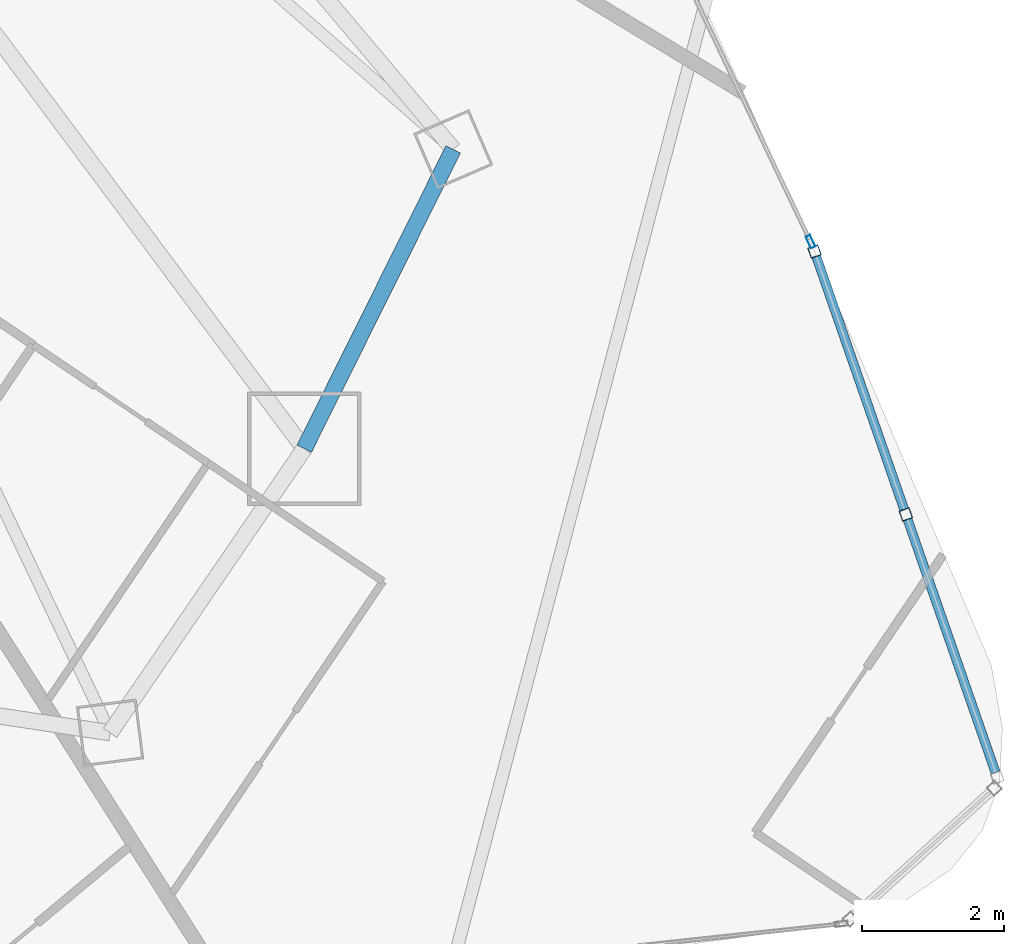
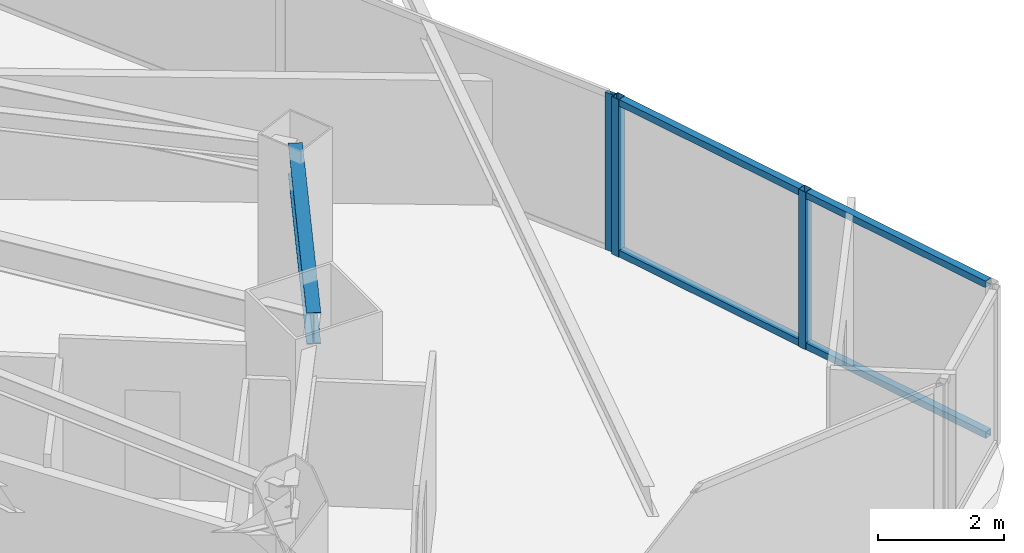
# One storey, part 18 of 38: 7 members, 1 beam, 2 elements without a shape of their own.
"""IFC4 building model written with IfcOpenShell, lengths in metres."""

from ifc_helpers import new_model, si_unit, direction, frame, origin, origin_2d, place, context, subcontext, project, spatial, hollow_rectangle, i_section, extrude, material, layer, layer_set, material_profile, profile_set, type_object, element, aggregate, save


model = new_model("IFC4")

# Units and contexts
model_context = context("Model", 3, precision=1e-05, world=origin(), true_north=direction((0.0, 1.0)))
body_context = subcontext(model_context, "Body", "Model", "MODEL_VIEW")
ifc_project = project(units=[si_unit("LENGTHUNIT", "METRE"), si_unit("AREAUNIT", "SQUARE_METRE"), si_unit("VOLUMEUNIT", "CUBIC_METRE"), si_unit("PLANEANGLEUNIT", "RADIAN"), si_unit("MASSUNIT", "GRAM", prefix="KILO")], contexts=[model_context])

# Site, building, storey
site_placement = place(None, origin())
site = spatial("IfcSite", under=ifc_project, at=site_placement, CompositionType="ELEMENT")
building_placement = place(site_placement, origin())
building = spatial("IfcBuilding", under=site, at=building_placement, Name="Orvanel Arch Residences", CompositionType="ELEMENT")
storey_placement = place(building_placement, frame((0.0, 0.0, 46.699951171875)))
storey = spatial("IfcBuildingStorey", under=building, at=storey_placement, Name="L12", CompositionType="ELEMENT", Elevation=46.699951171875)

# Curtain wall, members
ifc_material_1 = material(Name="Bronze-anodised aluminium AA6063-T6", Category="aluminium")
ifc_layer_1 = layer(ifc_material_1, 0.18994140625)
ifc_layer_set_1 = layer_set([ifc_layer_1], Name="Bronze-anodised aluminium AA6063-T6")
curtain_wall_type_1 = type_object("IfcCurtainWallType", Name="CW5-CRN-SYS", PredefinedType="NOTDEFINED", material=ifc_layer_set_1)
curtain_wall_1_placement = place(storey_placement, origin())
curtain_wall_1 = element("IfcCurtainWall", 1, at=curtain_wall_1_placement, inside=storey, type_object=curtain_wall_type_1, Name="L12 CW5-CRN-SYS Unitised Curtain Wall", PredefinedType="NOTDEFINED")
ifc_material_profile_1 = material_profile(ifc_material_1, hollow_rectangle(XDim=0.14990234375, YDim=0.14990234375, WallThickness=0.0048828125, at=origin_2d()), Name="ALU150x150x5")
ifc_profile_set_1 = profile_set([ifc_material_profile_1], Name="Bronze-anodised aluminium AA6063-T6")
member_type_1 = type_object("IfcMemberType", Name="MUL-150x150", PredefinedType="MULLION", material=ifc_profile_set_1)
member_1_placement = place(storey_placement, frame((60.298095703125, 9.422607421875, 0.0), z_axis=(0.0, 0.0, 1.0), x_axis=(-0.944601133748, -0.328220502288, 0.0)))
member_1 = element("IfcMember", 2, at=member_1_placement, type_object=member_type_1, Name="CW-S5 mullion 2", PredefinedType="MULLION", context=body_context, shape_type="SweptSolid", body=[
    extrude(hollow_rectangle(XDim=0.14990234375, YDim=0.14990234375, WallThickness=0.0048828125, at=origin_2d()), origin(), (0.0, 0.0, 1.0), 3.06005859375),
])
member_2_placement = place(storey_placement, frame((59.007568359375, 13.13623046875, 0.0), z_axis=(0.0, 0.0, 1.0), x_axis=(-0.944601133748, -0.328220502288, 0.0)))
member_2 = element("IfcMember", 3, at=member_2_placement, type_object=member_type_1, Name="CW-S5 mullion 3", PredefinedType="MULLION", context=body_context, shape_type="SweptSolid", body=[
    extrude(hollow_rectangle(XDim=0.14990234375, YDim=0.14990234375, WallThickness=0.0048828125, at=origin_2d()), origin(), (0.0, 0.0, 1.0), 3.06005859375),
])

# Curtain wall, member
ifc_layer_2 = layer(ifc_material_1, 0.179931640625)
ifc_layer_set_2 = layer_set([ifc_layer_2], Name="Bronze-anodised aluminium AA6063-T6")
curtain_wall_type_2 = type_object("IfcCurtainWallType", Name="CW2-LOW-SYS", PredefinedType="NOTDEFINED", material=ifc_layer_set_2)
curtain_wall_2_placement = place(storey_placement, origin())
curtain_wall_2 = element("IfcCurtainWall", 4, at=curtain_wall_2_placement, inside=storey, type_object=curtain_wall_type_2, Name="L12 CW2-LOW-SYS Unitised Curtain Wall", PredefinedType="NOTDEFINED")
ifc_material_profile_2 = material_profile(ifc_material_1, hollow_rectangle(XDim=0.070068359375, YDim=0.179931640625, WallThickness=0.00439453125, at=origin_2d()), Name="ALU180x70x4.5")
ifc_profile_set_2 = profile_set([ifc_material_profile_2], Name="Bronze-anodised aluminium AA6063-T6")
member_type_2 = type_object("IfcMemberType", Name="MUL-180x70", PredefinedType="MULLION", material=ifc_profile_set_2)
member_3_placement = place(storey_placement, frame((58.951904296875, 13.275634765625, 0.0), z_axis=(0.0, 0.0, 1.0), x_axis=(-0.903580469731, -0.42841841081, 0.0)))
member_3 = element("IfcMember", 5, at=member_3_placement, type_object=member_type_2, Name="CW-S2 mullion 1", PredefinedType="MULLION", context=body_context, shape_type="SweptSolid", body=[
    extrude(hollow_rectangle(XDim=0.070068359375, YDim=0.179931640625, WallThickness=0.00439453125, at=origin_2d()), origin(), (0.0, 0.0, 1.0), 3.06005859375),
])
aggregate(curtain_wall_2, [member_3])

# Beam
ifc_material_2 = material(Name="Structural steel AS/NZS 3679.1 Grade 300 (300 MPa)", Category="steel")
ifc_material_profile_3 = material_profile(ifc_material_2, i_section(OverallWidth=0.22900390625, OverallDepth=0.612060546875, WebThickness=0.011962890625, FlangeThickness=0.01953125, at=origin_2d()), Name="610UB125")
ifc_profile_set_3 = profile_set([ifc_material_profile_3], Name="Structural steel AS/NZS 3679.1 Grade 300 (300 MPa)")
beam_type = type_object("IfcBeamType", Name="SP-610UB", PredefinedType="SPANDREL", material=ifc_profile_set_3)
beam_placement = place(storey_placement, frame((51.801025390625, 10.35107421875, 2.754150390625), z_axis=(0.44543469453, 0.895314432425, 0.0), x_axis=(-0.895314432425, 0.44543469453, 0.0)))
element("IfcBeam", 6, at=beam_placement, inside=storey, type_object=beam_type, Name="L12 Perimeter Spandrel Beam 11", PredefinedType="SPANDREL", context=body_context, shape_type="SweptSolid", body=[
    extrude(i_section(OverallWidth=0.22900390625, OverallDepth=0.612060546875, WebThickness=0.011962890625, FlangeThickness=0.01953125, at=origin_2d()), origin(), (0.0, 0.0, 1.0), 4.723388671875),
])

# Member
ifc_material_profile_4 = material_profile(ifc_material_1, hollow_rectangle(XDim=0.1298828125, YDim=0.1298828125, WallThickness=0.00439453125, at=origin_2d()), Name="ALU130x130x4.5")
ifc_profile_set_4 = profile_set([ifc_material_profile_4], Name="Bronze-anodised aluminium AA6063-T6")
member_type_3 = type_object("IfcMemberType", Name="TRN-130x130", PredefinedType="USERDEFINED", material=ifc_profile_set_4)
member_4_placement = place(storey_placement, frame((61.563720703125, 5.77978515625, 0.06494140625), z_axis=(-0.328250155674, 0.944590829566, 0.0), x_axis=(-0.944590829566, -0.328250155674, 0.0)))
member_4 = element("IfcMember", 7, at=member_4_placement, type_object=member_type_3, Name="CW-S5 transom 1.1", ObjectType="TRANSOM", PredefinedType="USERDEFINED", context=body_context, shape_type="SweptSolid", body=[
    extrude(hollow_rectangle(XDim=0.1298828125, YDim=0.1298828125, WallThickness=0.00439453125, at=origin_2d()), origin(), (0.0, 0.0, 1.0), 3.78125),
])

member_5_placement = place(storey_placement, frame((61.563720703125, 5.77978515625, 2.9951171875), z_axis=(-0.328250155674, 0.944590829566, 0.0), x_axis=(-0.944590829566, -0.328250155674, 0.0)))
member_5 = element("IfcMember", 8, at=member_5_placement, type_object=member_type_3, Name="CW-S5 transom 1.2", ObjectType="TRANSOM", PredefinedType="USERDEFINED", context=body_context, shape_type="SweptSolid", body=[
    extrude(hollow_rectangle(XDim=0.1298828125, YDim=0.1298828125, WallThickness=0.00439453125, at=origin_2d()), origin(), (0.0, 0.0, 1.0), 3.78125),
])

member_6_placement = place(storey_placement, frame((60.2734375, 9.493408203125, 0.06494140625), z_axis=(-0.328230137559, 0.944597785726, 0.0), x_axis=(-0.944597785726, -0.328230137559, 0.0)))
member_6 = element("IfcMember", 9, at=member_6_placement, type_object=member_type_3, Name="CW-S5 transom 2.1", ObjectType="TRANSOM", PredefinedType="USERDEFINED", context=body_context, shape_type="SweptSolid", body=[
    extrude(hollow_rectangle(XDim=0.1298828125, YDim=0.1298828125, WallThickness=0.00439453125, at=origin_2d()), origin(), (0.0, 0.0, 1.0), 3.781494140625),
])

member_7_placement = place(storey_placement, frame((60.2734375, 9.493408203125, 2.9951171875), z_axis=(-0.328230137559, 0.944597785726, 0.0), x_axis=(-0.944597785726, -0.328230137559, 0.0)))
member_7 = element("IfcMember", 10, at=member_7_placement, type_object=member_type_3, Name="CW-S5 transom 2.2", ObjectType="TRANSOM", PredefinedType="USERDEFINED", context=body_context, shape_type="SweptSolid", body=[
    extrude(hollow_rectangle(XDim=0.1298828125, YDim=0.1298828125, WallThickness=0.00439453125, at=origin_2d()), origin(), (0.0, 0.0, 1.0), 3.781494140625),
])

aggregate(curtain_wall_1, [member_1, member_2, member_4, member_5, member_6, member_7])

save(model, "model.ifc")
